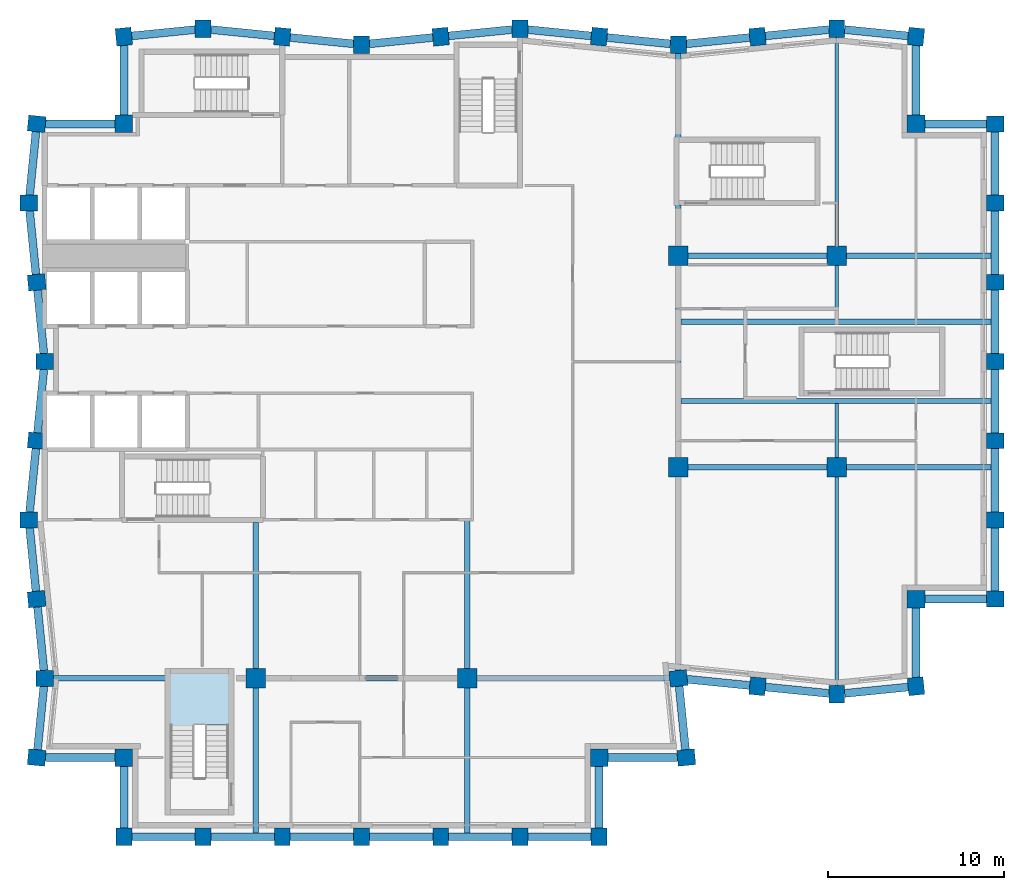
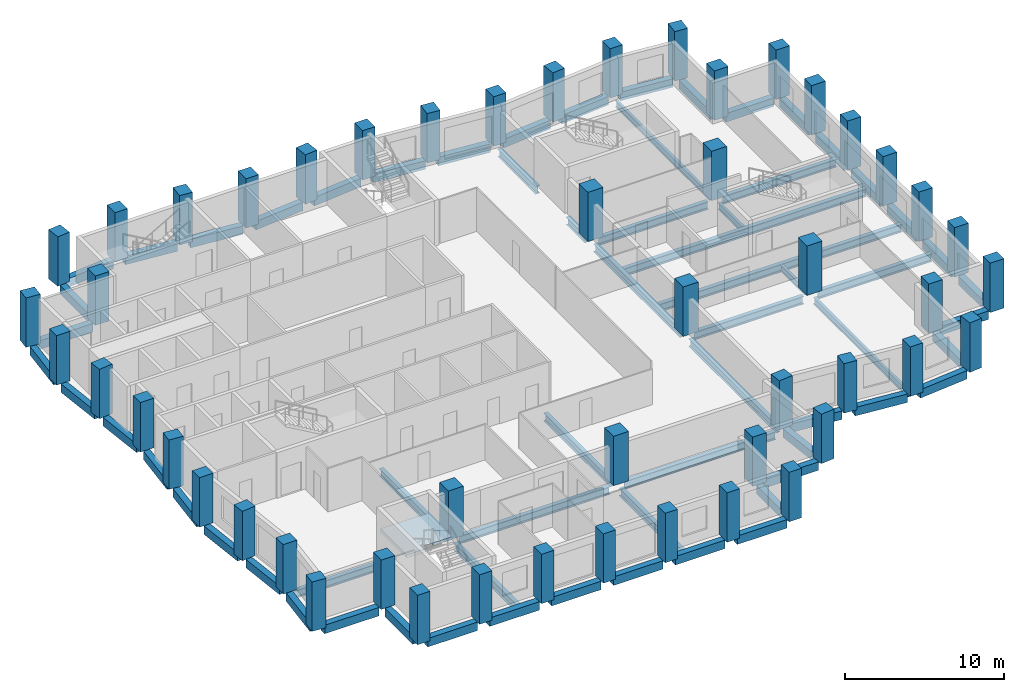
# One storey, part 1 of 8: 65 beams, 50 columns, 1 slab, 1 element without a shape of its own.
"""IFC4 building model written with IfcOpenShell, lengths in metres."""

from ifc_helpers import new_model, si_unit, direction, frame, origin, origin_2d, place, context, subcontext, project, spatial, polyline, rectangle, i_section, outline, extrude, material, layer, layer_set, material_profile, profile_set, type_object, element, aggregate, save


model = new_model("IFC4")

# Units and contexts
model_context = context("Model", 3, precision=1e-05, world=origin(), true_north=direction((0.0, 1.0)))
body_context = subcontext(model_context, "Body", "Model", "MODEL_VIEW")
ifc_project = project(units=[si_unit("LENGTHUNIT", "METRE"), si_unit("AREAUNIT", "SQUARE_METRE"), si_unit("VOLUMEUNIT", "CUBIC_METRE"), si_unit("PLANEANGLEUNIT", "RADIAN"), si_unit("MASSUNIT", "GRAM", prefix="KILO")], contexts=[model_context])

# Site, building, storey
site_placement = place(None, origin())
site = spatial("IfcSite", under=ifc_project, at=site_placement, CompositionType="ELEMENT")
building_placement = place(site_placement, origin())
building = spatial("IfcBuilding", under=site, at=building_placement, Name="Brondeck Convention Tower", CompositionType="ELEMENT")
storey_placement = place(building_placement, frame((0.0, 0.0, 240.60009765625)))
storey = spatial("IfcBuildingStorey", under=building, at=storey_placement, Name="L59", CompositionType="ELEMENT", Elevation=240.60009765625)

# Columns
ifc_material_1 = material(Name="Concrete C50/60", Category="concrete")
ifc_material_profile_1 = material_profile(ifc_material_1, rectangle(XDim=1.0, YDim=1.0, at=origin_2d()), Name="Corner column 1000x1000 Concrete C50/60")
ifc_profile_set_1 = profile_set([ifc_material_profile_1], Name="Concrete C50/60")
column_type_1 = type_object("IfcColumnType", Name="Corner column 1000x1000 Concrete C50/60", PredefinedType="COLUMN", material=ifc_profile_set_1)
for number, where, z_axis, x_axis, name in (
    (1, (4.5, 22.5, 0.0), (0.0, 0.0, 1.0), (1.0, 0.0, 0.0), "STR-COL-L59-NC-SWB18"),
    (2, (31.5, 22.5, 0.0), (0.0, 0.0, 1.0), (1.0, 0.0, 0.0), "STR-COL-L59-NC-SEB18"),
    (3, (49.5, 31.5, 0.0), (0.0, 0.0, 1.0), (1.0, 0.0, 0.0), "STR-COL-L59-NC-SEA54"),
    (4, (49.5, 58.5, 0.0), (0.0, 0.0, 1.0), (1.0, 0.0, 0.0), "STR-COL-L59-NC-NEA54"),
    (5, (4.5, 58.5, 0.0), (0.0, 0.0, 1.0), (1.0, 0.0, 0.0), "STR-COL-L59-NC-NW"),
):
    element("IfcColumn", number, at=place(storey_placement, frame(where, z_axis=z_axis, x_axis=x_axis)), inside=storey, type_object=column_type_1, Name=name, PredefinedType="COLUMN", context=body_context, shape_type="SweptSolid", body=[
        extrude(rectangle(XDim=1.0, YDim=1.0, at=origin_2d()), origin(), (0.0, 0.0, 1.0), 3.7998046875),
    ])
ifc_material_profile_2 = material_profile(ifc_material_1, rectangle(XDim=1.10009765625, YDim=1.10009765625, at=origin_2d()), Name="Interior column 1100x1100 Concrete C50/60")
ifc_profile_set_2 = profile_set([ifc_material_profile_2], Name="Concrete C50/60")
column_type_2 = type_object("IfcColumnType", Name="Interior column 1100x1100 Concrete C50/60", PredefinedType="COLUMN", material=ifc_profile_set_2)
for number, where, z_axis, x_axis, name in (
    (6, (12.0, 27.0, 0.0), (0.0, 0.0, 1.0), (1.0, 0.0, 0.0), "STR-COL-L59-IC-03"),
    (7, (24.0, 27.0, 0.0), (0.0, 0.0, 1.0), (1.0, 0.0, 0.0), "STR-COL-L59-IC-06"),
    (8, (36.0, 39.0, 0.0), (0.0, 0.0, 1.0), (1.0, 0.0, 0.0), "STR-COL-L59-IC-07"),
    (9, (36.0, 51.0, 0.0), (0.0, 0.0, 1.0), (1.0, 0.0, 0.0), "STR-COL-L59-IC-08"),
    (10, (45.0, 39.0, 0.0), (0.0, 0.0, 1.0), (1.0, 0.0, 0.0), "STR-COL-L59-IC-09"),
    (11, (45.0, 51.0, 0.0), (0.0, 0.0, 1.0), (1.0, 0.0, 0.0), "STR-COL-L59-IC-10"),
):
    element("IfcColumn", number, at=place(storey_placement, frame(where, z_axis=z_axis, x_axis=x_axis)), inside=storey, type_object=column_type_2, Name=name, PredefinedType="COLUMN", context=body_context, shape_type="SweptSolid", body=[
        extrude(rectangle(XDim=1.10009765625, YDim=1.10009765625, at=origin_2d()), origin(), (0.0, 0.0, 1.0), 3.7998046875),
    ])
ifc_material_profile_3 = material_profile(ifc_material_1, rectangle(XDim=0.89990234375, YDim=1.0, at=origin_2d()), Name="Perimeter pier 900x1000 Concrete C50/60")
ifc_profile_set_3 = profile_set([ifc_material_profile_3], Name="Concrete C50/60")
column_type_3 = type_object("IfcColumnType", Name="Perimeter pier 900x1000 Concrete C50/60", PredefinedType="COLUMN", material=ifc_profile_set_3)
for number, where, z_axis, x_axis, name in (
    (12, (4.5, 18.0, 0.0), (0.0, 0.0, 1.0), (1.0, 0.0, 0.0), "STR-COL-L59-PC-B-S18-01"),
    (13, (9.0, 18.0, 0.0), (0.0, 0.0, 1.0), (1.0, 0.0, 0.0), "STR-COL-L59-PC-B-S18-02"),
    (14, (13.5, 18.0, 0.0), (0.0, 0.0, 1.0), (1.0, 0.0, 0.0), "STR-COL-L59-PC-B-S18-03"),
    (15, (18.0, 18.0, 0.0), (0.0, 0.0, 1.0), (1.0, 0.0, 0.0), "STR-COL-L59-PC-B-S18-04"),
    (16, (22.5, 18.0, 0.0), (0.0, 0.0, 1.0), (1.0, 0.0, 0.0), "STR-COL-L59-PC-B-S18-05"),
    (17, (27.0, 18.0, 0.0), (0.0, 0.0, 1.0), (1.0, 0.0, 0.0), "STR-COL-L59-PC-B-S18-06"),
    (18, (31.5, 18.0, 0.0), (0.0, 0.0, 1.0), (1.0, 0.0, 0.0), "STR-COL-L59-PC-B-S18-07"),
    (19, (36.449951171875, 22.5, 0.0), (0.0, 0.0, 1.0), (-0.0995038382, 0.995037178292, 0.0), "STR-COL-L59-PC-B-E-01"),
    (20, (36.0, 27.0, 0.0), (0.0, 0.0, 1.0), (-0.0995038382, 0.995037178292, 0.0), "STR-COL-L59-PC-B-E-00"),
    (21, (40.5, 26.550048828125, 0.0), (0.0, 0.0, 1.0), (0.995037178292, -0.0995038382, 0.0), "STR-COL-L59-PC-A-S-01"),
    (22, (45.0, 26.10009765625, 0.0), (0.0, 0.0, 1.0), (1.0, 0.0, 0.0), "STR-COL-L59-PC-A-S-02"),
    (23, (49.5, 26.550048828125, 0.0), (0.0, 0.0, 1.0), (0.995037178292, 0.0995038382, 0.0), "STR-COL-L59-PC-A-S-03"),
    (24, (54.0, 31.5, 0.0), (0.0, 0.0, 1.0), (0.0, 1.0, 0.0), "STR-COL-L59-PC-A-E54-01"),
    (25, (54.0, 36.0, 0.0), (0.0, 0.0, 1.0), (0.0, 1.0, 0.0), "STR-COL-L59-PC-A-E54-02"),
    (26, (54.0, 40.5, 0.0), (0.0, 0.0, 1.0), (0.0, 1.0, 0.0), "STR-COL-L59-PC-A-E54-03"),
    (27, (54.0, 45.0, 0.0), (0.0, 0.0, 1.0), (0.0, 1.0, 0.0), "STR-COL-L59-PC-A-E54-04"),
    (28, (54.0, 49.5, 0.0), (0.0, 0.0, 1.0), (0.0, 1.0, 0.0), "STR-COL-L59-PC-A-E54-05"),
    (29, (54.0, 54.0, 0.0), (0.0, 0.0, 1.0), (0.0, 1.0, 0.0), "STR-COL-L59-PC-A-E54-06"),
    (30, (54.0, 58.5, 0.0), (0.0, 0.0, 1.0), (0.0, 1.0, 0.0), "STR-COL-L59-PC-A-E54-07"),
    (31, (49.5, 63.449951171875, 0.0), (0.0, 0.0, 1.0), (-0.995037178292, 0.0995038382, 0.0), "STR-COL-L59-PC-A-N-11"),
    (32, (45.0, 63.89990234375, 0.0), (0.0, 0.0, 1.0), (-1.0, 0.0, 0.0), "STR-COL-L59-PC-A-N-10"),
    (33, (40.5, 63.449951171875, 0.0), (0.0, 0.0, 1.0), (-0.995037178292, -0.0995038382, 0.0), "STR-COL-L59-PC-A-N-09"),
    (34, (36.0, 63.0, 0.0), (0.0, 0.0, 1.0), (-1.0, 0.0, 0.0), "STR-COL-L59-PC-A-N-08"),
    (35, (31.5, 63.449951171875, 0.0), (0.0, 0.0, 1.0), (-0.995037178292, 0.0995038382, 0.0), "STR-COL-L59-PC-A-N-07"),
    (36, (27.0, 63.89990234375, 0.0), (0.0, 0.0, 1.0), (-1.0, 0.0, 0.0), "STR-COL-L59-PC-A-N-06"),
    (37, (22.5, 63.449951171875, 0.0), (0.0, 0.0, 1.0), (-0.995037178292, -0.0995038382, 0.0), "STR-COL-L59-PC-A-N-05"),
    (38, (18.0, 63.0, 0.0), (0.0, 0.0, 1.0), (-1.0, 0.0, 0.0), "STR-COL-L59-PC-A-N-04"),
    (39, (13.5, 63.449951171875, 0.0), (0.0, 0.0, 1.0), (-0.995037178292, 0.0995038382, 0.0), "STR-COL-L59-PC-A-N-03"),
    (40, (9.0, 63.89990234375, 0.0), (0.0, 0.0, 1.0), (-1.0, 0.0, 0.0), "STR-COL-L59-PC-A-N-02"),
    (41, (4.5, 63.449951171875, 0.0), (0.0, 0.0, 1.0), (-0.995037178292, -0.0995038382, 0.0), "STR-COL-L59-PC-A-N-01"),
    (42, (-0.449951171875, 58.5, 0.0), (0.0, 0.0, 1.0), (-0.0995038382, -0.995037178292, 0.0), "STR-COL-L59-PC-B-W-01"),
    (43, (-0.89990234375, 54.0, 0.0), (0.0, 0.0, 1.0), (0.0, -1.0, 0.0), "STR-COL-L59-PC-B-W-02"),
    (44, (-0.449951171875, 49.5, 0.0), (0.0, 0.0, 1.0), (0.0995038382, -0.995037178292, 0.0), "STR-COL-L59-PC-B-W-03"),
    (45, (0.0, 45.0, 0.0), (0.0, 0.0, 1.0), (0.0, -1.0, 0.0), "STR-COL-L59-PC-B-W-04"),
    (46, (-0.449951171875, 40.5, 0.0), (0.0, 0.0, 1.0), (-0.0995038382, -0.995037178292, 0.0), "STR-COL-L59-PC-B-W-05"),
    (47, (-0.89990234375, 36.0, 0.0), (0.0, 0.0, 1.0), (0.0, -1.0, 0.0), "STR-COL-L59-PC-B-W-06"),
    (48, (-0.449951171875, 31.5, 0.0), (0.0, 0.0, 1.0), (0.0995038382, -0.995037178292, 0.0), "STR-COL-L59-PC-B-W-07"),
    (49, (0.0, 27.0, 0.0), (0.0, 0.0, 1.0), (0.0, -1.0, 0.0), "STR-COL-L59-PC-B-W-08"),
    (50, (-0.449951171875, 22.5, 0.0), (0.0, 0.0, 1.0), (-0.0995038382, -0.995037178292, 0.0), "STR-COL-L59-PC-B-W-09"),
):
    element("IfcColumn", number, at=place(storey_placement, frame(where, z_axis=z_axis, x_axis=x_axis)), inside=storey, type_object=column_type_3, Name=name, PredefinedType="COLUMN", context=body_context, shape_type="SweptSolid", body=[
        extrude(rectangle(XDim=0.89990234375, YDim=1.0, at=origin_2d()), origin(), (0.0, 0.0, 1.0), 3.7998046875),
    ])

# Beams
ifc_material_2 = material(Name="Steel S355", Category="steel")
ifc_material_profile_4 = material_profile(ifc_material_2, i_section(OverallWidth=0.199951171875, OverallDepth=0.5, WebThickness=0.01025390625, FlangeThickness=0.01611328125, FilletRadius=0.02099609375, at=origin_2d()), Name="IPE 500")
ifc_profile_set_4 = profile_set([ifc_material_profile_4], Name="Steel S355")
beam_type_1 = type_object("IfcBeamType", Name="Floor beam IPE 500", PredefinedType="BEAM", material=ifc_profile_set_4)
for number, where, z_axis, x_axis, name in (
    (51, (45.0, 26.60009765625, -0.550048828125), (0.0, 1.0, 0.0), (-1.0, 0.0, 0.0), "STR-FB-L59-001"),
    (52, (45.0, 51.550048828125, -0.550048828125), (0.0, 1.0, 0.0), (-1.0, 0.0, 0.0), "STR-FB-L59-002"),
):
    element("IfcBeam", number, at=place(storey_placement, frame(where, z_axis=z_axis, x_axis=x_axis)), inside=storey, type_object=beam_type_1, Name=name, PredefinedType="BEAM", context=body_context, shape_type="SweptSolid", body=[
        extrude(i_section(OverallWidth=0.199951171875, OverallDepth=0.5, WebThickness=0.01025390625, FlangeThickness=0.01611328125, FilletRadius=0.02099609375, at=origin_2d()), origin(), (0.0, 0.0, 1.0), 11.849853515625),
    ])
for number, where, z_axis, x_axis, name in (
    (53, (45.0, 39.550048828125, -0.550048828125), (0.0, 1.0, 0.0), (-1.0, 0.0, 0.0), "STR-FB-L59-003"),
    (54, (45.0, 47.39990234375, -0.550048828125), (0.0, 1.0, 0.0), (-1.0, 0.0, 0.0), "STR-FB-L59-004"),
):
    element("IfcBeam", number, at=place(storey_placement, frame(where, z_axis=z_axis, x_axis=x_axis)), inside=storey, type_object=beam_type_1, Name=name, PredefinedType="BEAM", context=body_context, shape_type="SweptSolid", body=[
        extrude(i_section(OverallWidth=0.199951171875, OverallDepth=0.5, WebThickness=0.01025390625, FlangeThickness=0.01611328125, FilletRadius=0.02099609375, at=origin_2d()), origin(), (0.0, 0.0, 1.0), 3.050048828125),
    ])
ifc_material_profile_5 = material_profile(ifc_material_2, i_section(OverallWidth=0.300048828125, OverallDepth=0.60009765625, WebThickness=0.015380859375, FlangeThickness=0.030029296875, FilletRadius=0.027099609375, at=origin_2d()), Name="HEB 600")
ifc_profile_set_5 = profile_set([ifc_material_profile_5], Name="Steel S355")
beam_type_2 = type_object("IfcBeamType", Name="Girder HEB 600", PredefinedType="BEAM", material=ifc_profile_set_5)
beam_1_placement = place(storey_placement, frame((36.550048828125, 39.0, -0.60009765625), z_axis=(1.0, 0.0, 0.0), x_axis=(0.0, 1.0, 0.0)))
element("IfcBeam", 55, at=beam_1_placement, inside=storey, type_object=beam_type_2, Name="STR-GR-L59-001", PredefinedType="BEAM", context=body_context, shape_type="SweptSolid", body=[
    extrude(i_section(OverallWidth=0.300048828125, OverallDepth=0.60009765625, WebThickness=0.015380859375, FlangeThickness=0.030029296875, FilletRadius=0.027099609375, at=origin_2d()), origin(), (0.0, 0.0, 1.0), 7.89990234375),
])
beam_2_placement = place(storey_placement, frame((45.550048828125, 39.0, -0.60009765625), z_axis=(1.0, 0.0, 0.0), x_axis=(0.0, 1.0, 0.0)))
element("IfcBeam", 56, at=beam_2_placement, inside=storey, type_object=beam_type_2, Name="STR-GR-L59-002", PredefinedType="BEAM", context=body_context, shape_type="SweptSolid", body=[
    extrude(i_section(OverallWidth=0.300048828125, OverallDepth=0.60009765625, WebThickness=0.015380859375, FlangeThickness=0.030029296875, FilletRadius=0.027099609375, at=origin_2d()), origin(), (0.0, 0.0, 1.0), 8.224853515625),
])
beam_3_placement = place(storey_placement, frame((36.550048828125, 51.0, -0.60009765625), z_axis=(1.0, 0.0, 0.0), x_axis=(0.0, 1.0, 0.0)))
element("IfcBeam", 57, at=beam_3_placement, inside=storey, type_object=beam_type_2, Name="STR-GR-L59-003", PredefinedType="BEAM", context=body_context, shape_type="SweptSolid", body=[
    extrude(i_section(OverallWidth=0.300048828125, OverallDepth=0.60009765625, WebThickness=0.015380859375, FlangeThickness=0.030029296875, FilletRadius=0.027099609375, at=origin_2d()), origin(), (0.0, 0.0, 1.0), 7.89990234375),
])
beam_4_placement = place(storey_placement, frame((45.550048828125, 51.0, -0.60009765625), z_axis=(1.0, 0.0, 0.0), x_axis=(0.0, 1.0, 0.0)))
element("IfcBeam", 58, at=beam_4_placement, inside=storey, type_object=beam_type_2, Name="STR-GR-L59-004", PredefinedType="BEAM", context=body_context, shape_type="SweptSolid", body=[
    extrude(i_section(OverallWidth=0.300048828125, OverallDepth=0.60009765625, WebThickness=0.015380859375, FlangeThickness=0.030029296875, FilletRadius=0.027099609375, at=origin_2d()), origin(), (0.0, 0.0, 1.0), 8.224853515625),
])
beam_5_placement = place(storey_placement, frame((36.0, 27.4521484375, -0.60009765625), z_axis=(0.0, 1.0, 0.0), x_axis=(-1.0, 0.0, 0.0)))
element("IfcBeam", 59, at=beam_5_placement, inside=storey, type_object=beam_type_2, Name="STR-GR-L59-005", PredefinedType="BEAM", context=body_context, shape_type="SweptSolid", body=[
    extrude(i_section(OverallWidth=0.300048828125, OverallDepth=0.60009765625, WebThickness=0.015380859375, FlangeThickness=0.030029296875, FilletRadius=0.027099609375, at=origin_2d()), origin(), (0.0, 0.0, 1.0), 10.997802734375),
])
beam_6_placement = place(storey_placement, frame((36.0, 39.550048828125, -0.60009765625), z_axis=(0.0, 1.0, 0.0), x_axis=(-1.0, 0.0, 0.0)))
element("IfcBeam", 60, at=beam_6_placement, inside=storey, type_object=beam_type_2, Name="STR-GR-L59-006", PredefinedType="BEAM", context=body_context, shape_type="SweptSolid", body=[
    extrude(i_section(OverallWidth=0.300048828125, OverallDepth=0.60009765625, WebThickness=0.015380859375, FlangeThickness=0.030029296875, FilletRadius=0.027099609375, at=origin_2d()), origin(), (0.0, 0.0, 1.0), 10.89990234375),
])
beam_7_placement = place(storey_placement, frame((36.0, 51.550048828125, -0.60009765625), z_axis=(0.0, 1.0, 0.0), x_axis=(-1.0, 0.0, 0.0)))
element("IfcBeam", 61, at=beam_7_placement, inside=storey, type_object=beam_type_2, Name="STR-GR-L59-007", PredefinedType="BEAM", context=body_context, shape_type="SweptSolid", body=[
    extrude(i_section(OverallWidth=0.300048828125, OverallDepth=0.60009765625, WebThickness=0.015380859375, FlangeThickness=0.030029296875, FilletRadius=0.027099609375, at=origin_2d()), origin(), (0.0, 0.0, 1.0), 2.329833984375),
])
beam_8_placement = place(storey_placement, frame((36.0, 57.719970703125, -0.60009765625), z_axis=(0.0, 1.0, 0.0), x_axis=(-1.0, 0.0, 0.0)))
element("IfcBeam", 62, at=beam_8_placement, inside=storey, type_object=beam_type_2, Name="STR-GR-L59-008", PredefinedType="BEAM", context=body_context, shape_type="SweptSolid", body=[
    extrude(i_section(OverallWidth=0.300048828125, OverallDepth=0.60009765625, WebThickness=0.015380859375, FlangeThickness=0.030029296875, FilletRadius=0.027099609375, at=origin_2d()), origin(), (0.0, 0.0, 1.0), 4.780029296875),
])
beam_9_placement = place(storey_placement, frame((12.0, 35.85009765625, -0.60009765625), z_axis=(0.0, -1.0, 0.0), x_axis=(1.0, 0.0, 0.0)))
element("IfcBeam", 63, at=beam_9_placement, inside=storey, type_object=beam_type_2, Name="STR-GR-L59-009", PredefinedType="BEAM", context=body_context, shape_type="SweptSolid", body=[
    extrude(i_section(OverallWidth=0.300048828125, OverallDepth=0.60009765625, WebThickness=0.015380859375, FlangeThickness=0.030029296875, FilletRadius=0.027099609375, at=origin_2d()), origin(), (0.0, 0.0, 1.0), 8.300048828125),
])
beam_10_placement = place(storey_placement, frame((12.0, 26.449951171875, -0.60009765625), z_axis=(0.0, -1.0, 0.0), x_axis=(1.0, 0.0, 0.0)))
element("IfcBeam", 64, at=beam_10_placement, inside=storey, type_object=beam_type_2, Name="STR-GR-L59-010", PredefinedType="BEAM", context=body_context, shape_type="SweptSolid", body=[
    extrude(i_section(OverallWidth=0.300048828125, OverallDepth=0.60009765625, WebThickness=0.015380859375, FlangeThickness=0.030029296875, FilletRadius=0.027099609375, at=origin_2d()), origin(), (0.0, 0.0, 1.0), 8.224853515625),
])
beam_11_placement = place(storey_placement, frame((24.0, 35.955078125, -0.60009765625), z_axis=(0.0, -1.0, 0.0), x_axis=(1.0, 0.0, 0.0)))
element("IfcBeam", 65, at=beam_11_placement, inside=storey, type_object=beam_type_2, Name="STR-GR-L59-011", PredefinedType="BEAM", context=body_context, shape_type="SweptSolid", body=[
    extrude(i_section(OverallWidth=0.300048828125, OverallDepth=0.60009765625, WebThickness=0.015380859375, FlangeThickness=0.030029296875, FilletRadius=0.027099609375, at=origin_2d()), origin(), (0.0, 0.0, 1.0), 8.405029296875),
])
beam_12_placement = place(storey_placement, frame((24.0, 26.449951171875, -0.60009765625), z_axis=(0.0, -1.0, 0.0), x_axis=(1.0, 0.0, 0.0)))
element("IfcBeam", 66, at=beam_12_placement, inside=storey, type_object=beam_type_2, Name="STR-GR-L59-012", PredefinedType="BEAM", context=body_context, shape_type="SweptSolid", body=[
    extrude(i_section(OverallWidth=0.300048828125, OverallDepth=0.60009765625, WebThickness=0.015380859375, FlangeThickness=0.030029296875, FilletRadius=0.027099609375, at=origin_2d()), origin(), (0.0, 0.0, 1.0), 8.224853515625),
])
beam_13_placement = place(storey_placement, frame((0.5, 27.0, -0.60009765625), z_axis=(1.0, 0.0, 0.0), x_axis=(0.0, 1.0, 0.0)))
element("IfcBeam", 67, at=beam_13_placement, inside=storey, type_object=beam_type_2, Name="STR-GR-L59-013", PredefinedType="BEAM", context=body_context, shape_type="SweptSolid", body=[
    extrude(i_section(OverallWidth=0.300048828125, OverallDepth=0.60009765625, WebThickness=0.015380859375, FlangeThickness=0.030029296875, FilletRadius=0.027099609375, at=origin_2d()), origin(), (0.0, 0.0, 1.0), 6.3798828125),
])
beam_14_placement = place(storey_placement, frame((12.550048828125, 27.0, -0.60009765625), z_axis=(1.0, 0.0, 0.0), x_axis=(0.0, 1.0, 0.0)))
element("IfcBeam", 68, at=beam_14_placement, inside=storey, type_object=beam_type_2, Name="STR-GR-L59-014", PredefinedType="BEAM", context=body_context, shape_type="SweptSolid", body=[
    extrude(i_section(OverallWidth=0.300048828125, OverallDepth=0.60009765625, WebThickness=0.015380859375, FlangeThickness=0.030029296875, FilletRadius=0.027099609375, at=origin_2d()), origin(), (0.0, 0.0, 1.0), 10.89990234375),
])
beam_15_placement = place(storey_placement, frame((24.550048828125, 27.0, -0.60009765625), z_axis=(1.0, 0.0, 0.0), x_axis=(0.0, 1.0, 0.0)))
element("IfcBeam", 69, at=beam_15_placement, inside=storey, type_object=beam_type_2, Name="STR-GR-L59-015", PredefinedType="BEAM", context=body_context, shape_type="SweptSolid", body=[
    extrude(i_section(OverallWidth=0.300048828125, OverallDepth=0.60009765625, WebThickness=0.015380859375, FlangeThickness=0.030029296875, FilletRadius=0.027099609375, at=origin_2d()), origin(), (0.0, 0.0, 1.0), 10.947509765625),
])
for number, where, z_axis, x_axis, name in (
    (70, (36.14990234375, 42.75, -0.60009765625), (1.0, 0.0, 0.0), (0.0, 1.0, 0.0), "STR-GR-L59-016"),
    (71, (36.14990234375, 47.25, -0.60009765625), (1.0, 0.0, 0.0), (0.0, 1.0, 0.0), "STR-GR-L59-017"),
):
    element("IfcBeam", number, at=place(storey_placement, frame(where, z_axis=z_axis, x_axis=x_axis)), inside=storey, type_object=beam_type_2, Name=name, PredefinedType="BEAM", context=body_context, shape_type="SweptSolid", body=[
        extrude(i_section(OverallWidth=0.300048828125, OverallDepth=0.60009765625, WebThickness=0.015380859375, FlangeThickness=0.030029296875, FilletRadius=0.027099609375, at=origin_2d()), origin(), (0.0, 0.0, 1.0), 17.625),
    ])
ifc_material_profile_6 = material_profile(ifc_material_1, rectangle(XDim=0.449951171875, YDim=0.64990234375, at=origin_2d()), Name="Precast spandrel 450x650 Concrete C50/60")
ifc_profile_set_6 = profile_set([ifc_material_profile_6], Name="Concrete C50/60")
beam_type_3 = type_object("IfcBeamType", Name="Precast spandrel 450x650 Concrete C50/60", PredefinedType="SPANDREL", material=ifc_profile_set_6)
for number, where, z_axis, x_axis, name in (
    (72, (4.949951171875, 18.0, -0.3251953125), (1.0, 0.0, 0.0), (0.0, 1.0, 0.0), "STR-SP-L59-001"),
    (73, (9.449951171875, 18.0, -0.3251953125), (1.0, 0.0, 0.0), (0.0, 1.0, 0.0), "STR-SP-L59-002"),
    (74, (13.949951171875, 18.0, -0.3251953125), (1.0, 0.0, 0.0), (0.0, 1.0, 0.0), "STR-SP-L59-003"),
    (75, (18.449951171875, 18.0, -0.3251953125), (1.0, 0.0, 0.0), (0.0, 1.0, 0.0), "STR-SP-L59-004"),
    (76, (22.949951171875, 18.0, -0.3251953125), (1.0, 0.0, 0.0), (0.0, 1.0, 0.0), "STR-SP-L59-005"),
    (77, (27.449951171875, 18.0, -0.3251953125), (1.0, 0.0, 0.0), (0.0, 1.0, 0.0), "STR-SP-L59-006"),
):
    element("IfcBeam", number, at=place(storey_placement, frame(where, z_axis=z_axis, x_axis=x_axis)), inside=storey, type_object=beam_type_3, Name=name, PredefinedType="SPANDREL", context=body_context, shape_type="SweptSolid", body=[
        extrude(rectangle(XDim=0.449951171875, YDim=0.64990234375, at=origin_2d()), origin(), (0.0, 0.0, 1.0), 3.60009765625),
    ])
beam_16_placement = place(storey_placement, frame((31.5, 18.5, -0.3251953125), z_axis=(0.0, 1.0, 0.0), x_axis=(-1.0, 0.0, 0.0)))
element("IfcBeam", 78, at=beam_16_placement, inside=storey, type_object=beam_type_3, Name="STR-SP-L59-007", PredefinedType="SPANDREL", context=body_context, shape_type="SweptSolid", body=[
    extrude(rectangle(XDim=0.449951171875, YDim=0.64990234375, at=origin_2d()), origin(), (0.0, 0.0, 1.0), 3.5),
])
beam_17_placement = place(storey_placement, frame((32.0, 22.5, -0.3251953125), z_axis=(1.0, 0.0, 0.0), x_axis=(0.0, 1.0, 0.0)))
element("IfcBeam", 79, at=beam_17_placement, inside=storey, type_object=beam_type_3, Name="STR-SP-L59-008", PredefinedType="SPANDREL", context=body_context, shape_type="SweptSolid", body=[
    extrude(rectangle(XDim=0.449951171875, YDim=0.64990234375, at=origin_2d()), origin(), (0.0, 0.0, 1.0), 3.947509765625),
])
beam_18_placement = place(storey_placement, frame((36.4052734375, 22.94775390625, -0.3251953125), z_axis=(-0.099543756114, 0.995033185687, 0.0), x_axis=(-0.995033185687, -0.099543756114, 0.0)))
element("IfcBeam", 80, at=beam_18_placement, inside=storey, type_object=beam_type_3, Name="STR-SP-L59-009", PredefinedType="SPANDREL", context=body_context, shape_type="SweptSolid", body=[
    extrude(rectangle(XDim=0.449951171875, YDim=0.64990234375, at=origin_2d()), origin(), (0.0, 0.0, 1.0), 3.62255859375),
])
beam_19_placement = place(storey_placement, frame((36.507568359375, 26.94921875, -0.3251953125), z_axis=(0.995036511638, -0.099510504504, 0.0), x_axis=(0.099510504504, 0.995036511638, 0.0)))
element("IfcBeam", 81, at=beam_19_placement, inside=storey, type_object=beam_type_3, Name="STR-SP-L59-010", PredefinedType="SPANDREL", context=body_context, shape_type="SweptSolid", body=[
    extrude(rectangle(XDim=0.449951171875, YDim=0.64990234375, at=origin_2d()), origin(), (0.0, 0.0, 1.0), 3.562255859375),
])
for number, where, z_axis, x_axis, name in (
    (82, (40.94775390625, 26.505126953125, -0.3251953125), (0.995040528141, -0.099470334057, 0.0), (0.099470334057, 0.995040528141, 0.0), "STR-SP-L59-011"),
    (83, (45.449951171875, 26.14501953125, -0.3251953125), (0.995040528141, 0.099470334057, 0.0), (-0.099470334057, 0.995040528141, 0.0), "STR-SP-L59-012"),
):
    element("IfcBeam", number, at=place(storey_placement, frame(where, z_axis=z_axis, x_axis=x_axis)), inside=storey, type_object=beam_type_3, Name=name, PredefinedType="SPANDREL", context=body_context, shape_type="SweptSolid", body=[
        extrude(rectangle(XDim=0.449951171875, YDim=0.64990234375, at=origin_2d()), origin(), (0.0, 0.0, 1.0), 3.620361328125),
    ])
beam_20_placement = place(storey_placement, frame((49.5, 27.052490234375, -0.3251953125), z_axis=(0.0, 1.0, 0.0), x_axis=(-1.0, 0.0, 0.0)))
element("IfcBeam", 84, at=beam_20_placement, inside=storey, type_object=beam_type_3, Name="STR-SP-L59-013", PredefinedType="SPANDREL", context=body_context, shape_type="SweptSolid", body=[
    extrude(rectangle(XDim=0.449951171875, YDim=0.64990234375, at=origin_2d()), origin(), (0.0, 0.0, 1.0), 3.947509765625),
])
beam_21_placement = place(storey_placement, frame((50.0, 31.5, -0.3251953125), z_axis=(1.0, 0.0, 0.0), x_axis=(0.0, 1.0, 0.0)))
element("IfcBeam", 85, at=beam_21_placement, inside=storey, type_object=beam_type_3, Name="STR-SP-L59-014", PredefinedType="SPANDREL", context=body_context, shape_type="SweptSolid", body=[
    extrude(rectangle(XDim=0.449951171875, YDim=0.64990234375, at=origin_2d()), origin(), (0.0, 0.0, 1.0), 3.5),
])
for number, where, z_axis, x_axis, name in (
    (86, (54.0, 31.949951171875, -0.3251953125), (0.0, 1.0, 0.0), (-1.0, 0.0, 0.0), "STR-SP-L59-015"),
    (87, (54.0, 36.449951171875, -0.3251953125), (0.0, 1.0, 0.0), (-1.0, 0.0, 0.0), "STR-SP-L59-016"),
    (88, (54.0, 40.949951171875, -0.3251953125), (0.0, 1.0, 0.0), (-1.0, 0.0, 0.0), "STR-SP-L59-017"),
    (89, (54.0, 45.449951171875, -0.3251953125), (0.0, 1.0, 0.0), (-1.0, 0.0, 0.0), "STR-SP-L59-018"),
    (90, (54.0, 49.949951171875, -0.3251953125), (0.0, 1.0, 0.0), (-1.0, 0.0, 0.0), "STR-SP-L59-019"),
    (91, (54.0, 54.449951171875, -0.3251953125), (0.0, 1.0, 0.0), (-1.0, 0.0, 0.0), "STR-SP-L59-020"),
):
    element("IfcBeam", number, at=place(storey_placement, frame(where, z_axis=z_axis, x_axis=x_axis)), inside=storey, type_object=beam_type_3, Name=name, PredefinedType="SPANDREL", context=body_context, shape_type="SweptSolid", body=[
        extrude(rectangle(XDim=0.449951171875, YDim=0.64990234375, at=origin_2d()), origin(), (0.0, 0.0, 1.0), 3.60009765625),
    ])
beam_22_placement = place(storey_placement, frame((53.5, 58.5, -0.3251953125), z_axis=(-1.0, 0.0, 0.0), x_axis=(0.0, -1.0, 0.0)))
element("IfcBeam", 92, at=beam_22_placement, inside=storey, type_object=beam_type_3, Name="STR-SP-L59-021", PredefinedType="SPANDREL", context=body_context, shape_type="SweptSolid", body=[
    extrude(rectangle(XDim=0.449951171875, YDim=0.64990234375, at=origin_2d()), origin(), (0.0, 0.0, 1.0), 3.5),
])
beam_23_placement = place(storey_placement, frame((49.5, 59.0, -0.3251953125), z_axis=(0.0, 1.0, 0.0), x_axis=(-1.0, 0.0, 0.0)))
element("IfcBeam", 93, at=beam_23_placement, inside=storey, type_object=beam_type_3, Name="STR-SP-L59-022", PredefinedType="SPANDREL", context=body_context, shape_type="SweptSolid", body=[
    extrude(rectangle(XDim=0.449951171875, YDim=0.64990234375, at=origin_2d()), origin(), (0.0, 0.0, 1.0), 3.947509765625),
])
for number, where, z_axis, x_axis, name in (
    (94, (49.05224609375, 63.494873046875, -0.3251953125), (-0.995040528141, 0.099470334057, 0.0), (-0.099470334057, -0.995040528141, 0.0), "STR-SP-L59-023"),
    (95, (44.550048828125, 63.85498046875, -0.3251953125), (-0.995040528141, -0.099470334057, 0.0), (0.099470334057, -0.995040528141, 0.0), "STR-SP-L59-024"),
    (96, (40.05224609375, 63.4052734375, -0.3251953125), (-0.995033851182, -0.099537103649, 0.0), (0.099537103649, -0.995033851182, 0.0), "STR-SP-L59-025"),
    (97, (35.550048828125, 63.044921875, -0.3251953125), (-0.995033851182, 0.099537103649, 0.0), (-0.099537103649, -0.995033851182, 0.0), "STR-SP-L59-026"),
    (98, (31.05224609375, 63.494873046875, -0.3251953125), (-0.995040528141, 0.099470334057, 0.0), (-0.099470334057, -0.995040528141, 0.0), "STR-SP-L59-027"),
    (99, (26.550048828125, 63.85498046875, -0.3251953125), (-0.995040528141, -0.099470334057, 0.0), (0.099470334057, -0.995040528141, 0.0), "STR-SP-L59-028"),
    (100, (22.05224609375, 63.4052734375, -0.3251953125), (-0.995033851182, -0.099537103649, 0.0), (0.099537103649, -0.995033851182, 0.0), "STR-SP-L59-029"),
    (101, (17.550048828125, 63.044921875, -0.3251953125), (-0.995033851182, 0.099537103649, 0.0), (-0.099537103649, -0.995033851182, 0.0), "STR-SP-L59-030"),
    (102, (13.05224609375, 63.494873046875, -0.3251953125), (-0.995040528141, 0.099470334057, 0.0), (-0.099470334057, -0.995040528141, 0.0), "STR-SP-L59-031"),
    (103, (8.550048828125, 63.85498046875, -0.3251953125), (-0.995040528141, -0.099470334057, 0.0), (0.099470334057, -0.995040528141, 0.0), "STR-SP-L59-032"),
):
    element("IfcBeam", number, at=place(storey_placement, frame(where, z_axis=z_axis, x_axis=x_axis)), inside=storey, type_object=beam_type_3, Name=name, PredefinedType="SPANDREL", context=body_context, shape_type="SweptSolid", body=[
        extrude(rectangle(XDim=0.449951171875, YDim=0.64990234375, at=origin_2d()), origin(), (0.0, 0.0, 1.0), 3.620361328125),
    ])
for number, where, z_axis, x_axis, name in (
    (104, (4.5, 62.947509765625, -0.3251953125), (0.0, -1.0, 0.0), (1.0, 0.0, 0.0), "STR-SP-L59-033"),
    (105, (4.0, 58.5, -0.3251953125), (-1.0, 0.0, 0.0), (0.0, -1.0, 0.0), "STR-SP-L59-034"),
):
    element("IfcBeam", number, at=place(storey_placement, frame(where, z_axis=z_axis, x_axis=x_axis)), inside=storey, type_object=beam_type_3, Name=name, PredefinedType="SPANDREL", context=body_context, shape_type="SweptSolid", body=[
        extrude(rectangle(XDim=0.449951171875, YDim=0.64990234375, at=origin_2d()), origin(), (0.0, 0.0, 1.0), 3.947509765625),
    ])
for number, where, z_axis, x_axis, name in (
    (106, (-0.494873046875, 58.05224609375, -0.3251953125), (-0.099470334057, -0.995040528141, 0.0), (0.995040528141, -0.099470334057, 0.0), "STR-SP-L59-035"),
    (107, (-0.85498046875, 53.550048828125, -0.3251953125), (0.099470334057, -0.995040528141, 0.0), (0.995040528141, 0.099470334057, 0.0), "STR-SP-L59-036"),
    (108, (-0.4052734375, 49.05224609375, -0.3251953125), (0.099537103649, -0.995033851182, 0.0), (0.995033851182, 0.099537103649, 0.0), "STR-SP-L59-037"),
    (109, (-0.044921875, 44.550048828125, -0.3251953125), (-0.099537103649, -0.995033851182, 0.0), (0.995033851182, -0.099537103649, 0.0), "STR-SP-L59-038"),
    (110, (-0.494873046875, 40.05224609375, -0.3251953125), (-0.099470334057, -0.995040528141, 0.0), (0.995040528141, -0.099470334057, 0.0), "STR-SP-L59-039"),
    (111, (-0.85498046875, 35.550048828125, -0.3251953125), (0.099470334057, -0.995040528141, 0.0), (0.995040528141, 0.099470334057, 0.0), "STR-SP-L59-040"),
    (112, (-0.4052734375, 31.05224609375, -0.3251953125), (0.099537103649, -0.995033851182, 0.0), (0.995033851182, 0.099537103649, 0.0), "STR-SP-L59-041"),
    (113, (-0.044921875, 26.550048828125, -0.3251953125), (-0.099537103649, -0.995033851182, 0.0), (0.995033851182, -0.099537103649, 0.0), "STR-SP-L59-042"),
):
    element("IfcBeam", number, at=place(storey_placement, frame(where, z_axis=z_axis, x_axis=x_axis)), inside=storey, type_object=beam_type_3, Name=name, PredefinedType="SPANDREL", context=body_context, shape_type="SweptSolid", body=[
        extrude(rectangle(XDim=0.449951171875, YDim=0.64990234375, at=origin_2d()), origin(), (0.0, 0.0, 1.0), 3.620361328125),
    ])
beam_24_placement = place(storey_placement, frame((0.052490234375, 22.5, -0.3251953125), z_axis=(1.0, 0.0, 0.0), x_axis=(0.0, 1.0, 0.0)))
element("IfcBeam", 114, at=beam_24_placement, inside=storey, type_object=beam_type_3, Name="STR-SP-L59-043", PredefinedType="SPANDREL", context=body_context, shape_type="SweptSolid", body=[
    extrude(rectangle(XDim=0.449951171875, YDim=0.64990234375, at=origin_2d()), origin(), (0.0, 0.0, 1.0), 3.947509765625),
])
beam_25_placement = place(storey_placement, frame((4.5, 22.0, -0.3251953125), z_axis=(0.0, -1.0, 0.0), x_axis=(1.0, 0.0, 0.0)))
element("IfcBeam", 115, at=beam_25_placement, inside=storey, type_object=beam_type_3, Name="STR-SP-L59-044", PredefinedType="SPANDREL", context=body_context, shape_type="SweptSolid", body=[
    extrude(rectangle(XDim=0.449951171875, YDim=0.64990234375, at=origin_2d()), origin(), (0.0, 0.0, 1.0), 3.5),
])

# Stair, slab
ifc_material_3 = material(Name="Precast concrete C50/60", Category="concrete")
stair_type = type_object("IfcStairType", Name="Core stair 22 risers 172.73 mm riser 300 mm going 1350 wide", PredefinedType="HALF_TURN_STAIR", material=ifc_material_3)
stair_placement = place(storey_placement, origin())
stair = element("IfcStair", 116, at=stair_placement, inside=storey, type_object=stair_type, Name="ST-BE L59 stair", PredefinedType="HALF_TURN_STAIR")
ifc_layer = layer(ifc_material_3, 0.25)
ifc_layer_set = layer_set([ifc_layer], Name="Core stair landing 250 Precast concrete C50/60")
slab_type = type_object("IfcSlabType", Name="Core stair landing 250 Precast concrete C50/60", PredefinedType="LANDING", material=ifc_layer_set)
slab_placement = place(storey_placement, frame((0.0, 0.0, 1.64990234375)))
slab = element("IfcSlab", 117, at=slab_placement, type_object=slab_type, Name="ST-BE landing 1", PredefinedType="LANDING", context=body_context, shape_type="SweptSolid", body=[
    extrude(outline(polyline([(7.030029296875, 24.050048828125), (7.030029296875, 27.3701171875), (10.570068359375, 27.3701171875), (10.570068359375, 24.347900390625), (9.10009765625, 24.347900390625), (9.10009765625, 24.35009765625), (8.5, 24.35009765625), (8.5, 24.050048828125), (7.030029296875, 24.050048828125)])), origin(), (0.0, 0.0, 1.0), 0.25),
])
aggregate(stair, [slab])

save(model, "model.ifc")
